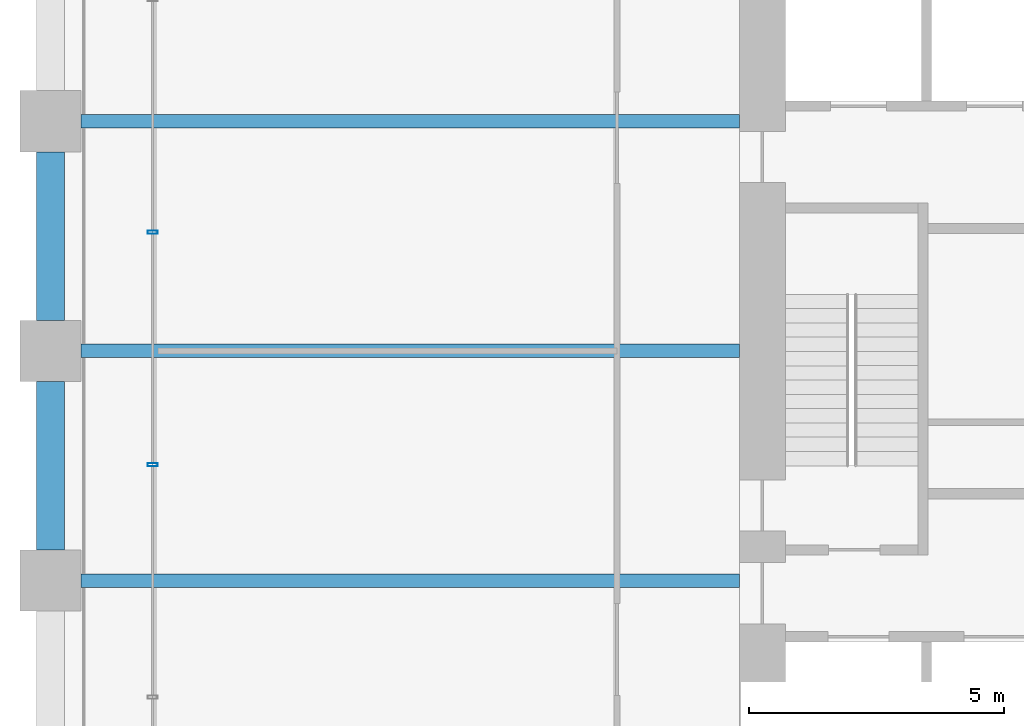
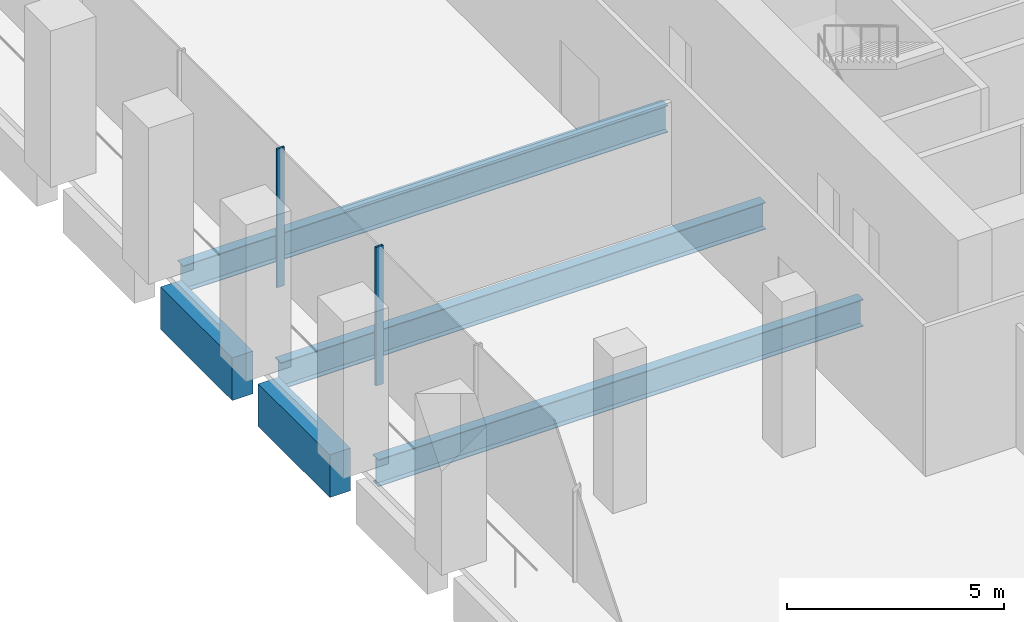
# One storey, part 7 of 36: 5 beams, 2 members, 1 element without a shape of its own.
"""IFC4 building model written with IfcOpenShell, lengths in metres."""

from ifc_helpers import new_model, si_unit, direction, frame, origin, origin_2d, place, context, subcontext, project, spatial, rectangle, hollow_rectangle, i_section, extrude, material, material_profile, profile_set, type_object, element, aggregate, save


model = new_model("IFC4")

# Units and contexts
model_context = context("Model", 3, precision=1e-05, world=origin(), true_north=direction((0.0, 1.0)))
body_context = subcontext(model_context, "Body", "Model", "MODEL_VIEW")
ifc_project = project(units=[si_unit("LENGTHUNIT", "METRE"), si_unit("AREAUNIT", "SQUARE_METRE"), si_unit("VOLUMEUNIT", "CUBIC_METRE"), si_unit("PLANEANGLEUNIT", "RADIAN"), si_unit("MASSUNIT", "GRAM", prefix="KILO")], contexts=[model_context])

# Site, building, storey
site_placement = place(None, origin())
site = spatial("IfcSite", under=ifc_project, at=site_placement, CompositionType="ELEMENT")
building_placement = place(site_placement, origin())
building = spatial("IfcBuilding", under=site, at=building_placement, Name="Altepetl Exchange Towers", CompositionType="ELEMENT")
storey_placement = place(building_placement, frame((0.0, 0.0, 34.199951171875)))
storey = spatial("IfcBuildingStorey", under=building, at=storey_placement, Name="L07", CompositionType="ELEMENT", Elevation=34.199951171875)

# Beams
ifc_material_1 = material(Name="Steel S355", Category="steel")
ifc_material_profile_1 = material_profile(ifc_material_1, i_section(OverallWidth=0.26611328125, OverallDepth=0.758056640625, WebThickness=0.013916015625, FlangeThickness=0.019287109375, at=origin_2d()), Name="W30X108")
ifc_profile_set_1 = profile_set([ifc_material_profile_1], Name="Steel S355")
beam_type_1 = type_object("IfcBeamType", Name="Floor beam W30X108", PredefinedType="BEAM", material=ifc_profile_set_1)
for number, where, z_axis, x_axis, name in (
    (1, (27.60009765625, 45.0, -0.553955078125), (1.0, 0.0, 0.0), (0.0, 1.0, 0.0), "bm:A:L07:018"),
    (2, (27.60009765625, 49.5, -0.553955078125), (1.0, 0.0, 0.0), (0.0, 1.0, 0.0), "bm:A:L07:019"),
    (3, (27.60009765625, 54.0, -0.553955078125), (1.0, 0.0, 0.0), (0.0, 1.0, 0.0), "bm:A:L07:020"),
):
    element("IfcBeam", number, at=place(storey_placement, frame(where, z_axis=z_axis, x_axis=x_axis)), inside=storey, type_object=beam_type_1, Name=name, PredefinedType="BEAM", context=body_context, shape_type="SweptSolid", body=[
        extrude(i_section(OverallWidth=0.26611328125, OverallDepth=0.758056640625, WebThickness=0.013916015625, FlangeThickness=0.019287109375, at=origin_2d()), origin(), (0.0, 0.0, 1.0), 12.89990234375),
    ])

# Curtain wall, members
ifc_material_2 = material(Name="Aluminium 6063-T6 glazing", Category="aluminium")
curtain_wall_type = type_object("IfcCurtainWallType", Name="Trading floor glazing system", PredefinedType="NOTDEFINED", material=ifc_material_2)
curtain_wall_placement = place(storey_placement, origin())
curtain_wall = element("IfcCurtainWall", 4, at=curtain_wall_placement, inside=storey, type_object=curtain_wall_type, Name="CW2 run", PredefinedType="NOTDEFINED")
ifc_material_3 = material(Name="Aluminium 6063-T6", Category="aluminium")
ifc_material_profile_2 = material_profile(ifc_material_3, hollow_rectangle(XDim=0.06005859375, YDim=0.199951171875, WallThickness=0.0029296875, at=origin_2d()), Name="Mullion 60x200 aluminium")
ifc_profile_set_2 = profile_set([ifc_material_profile_2], Name="Aluminium 6063-T6")
member_type = type_object("IfcMemberType", Name="Mullion 60x200 aluminium", PredefinedType="MULLION", material=ifc_profile_set_2)
member_1_placement = place(storey_placement, frame((29.0, 51.82861328125, 0.0), z_axis=(0.0, 0.0, 1.0), x_axis=(0.0, -1.0, 0.0)))
member_1 = element("IfcMember", 5, at=member_1_placement, type_object=member_type, Name="MU2 mullion", PredefinedType="MULLION", context=body_context, shape_type="SweptSolid", body=[
    extrude(hollow_rectangle(XDim=0.06005859375, YDim=0.199951171875, WallThickness=0.0029296875, at=origin_2d()), origin(), (0.0, 0.0, 1.0), 3.900146484375),
])
member_2_placement = place(storey_placement, frame((29.0, 47.271484375, 0.0), z_axis=(0.0, 0.0, 1.0), x_axis=(0.0, -1.0, 0.0)))
member_2 = element("IfcMember", 6, at=member_2_placement, type_object=member_type, Name="MU2 mullion", PredefinedType="MULLION", context=body_context, shape_type="SweptSolid", body=[
    extrude(hollow_rectangle(XDim=0.06005859375, YDim=0.199951171875, WallThickness=0.0029296875, at=origin_2d()), origin(), (0.0, 0.0, 1.0), 3.900146484375),
])
aggregate(curtain_wall, [member_1, member_2])

# Beams
ifc_material_4 = material(Name="Concrete C50/60 precast with tezontle facing", Category="concrete")
ifc_material_profile_3 = material_profile(ifc_material_4, rectangle(XDim=0.550048828125, YDim=1.199951171875, at=origin_2d()), Name="550 x 1200")
ifc_profile_set_3 = profile_set([ifc_material_profile_3], Name="Concrete C50/60 precast with tezontle facing")
beam_type_2 = type_object("IfcBeamType", Name="Spandrel beam 550x1200 tezontle", PredefinedType="SPANDREL", material=ifc_profile_set_3)
for number, where, z_axis, x_axis, name in (
    (7, (27.0, 53.39990234375, -0.77490234375), (0.0, -1.0, 0.0), (1.0, 0.0, 0.0), "sp:A:L07:039"),
    (8, (27.0, 48.89990234375, -0.77490234375), (0.0, -1.0, 0.0), (1.0, 0.0, 0.0), "sp:A:L07:040"),
):
    element("IfcBeam", number, at=place(storey_placement, frame(where, z_axis=z_axis, x_axis=x_axis)), inside=storey, type_object=beam_type_2, Name=name, PredefinedType="SPANDREL", context=body_context, shape_type="SweptSolid", body=[
        extrude(rectangle(XDim=0.550048828125, YDim=1.199951171875, at=origin_2d()), origin(), (0.0, 0.0, 1.0), 3.2998046875),
    ])

save(model, "model.ifc")
